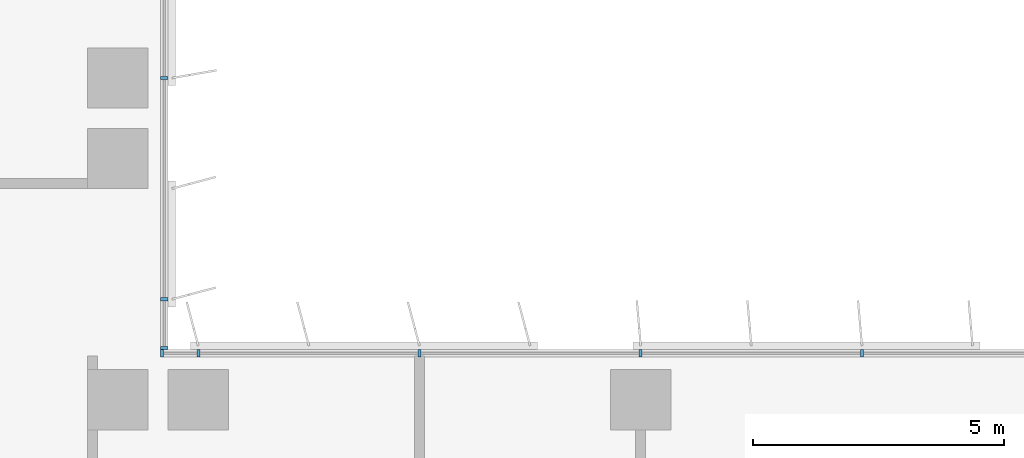
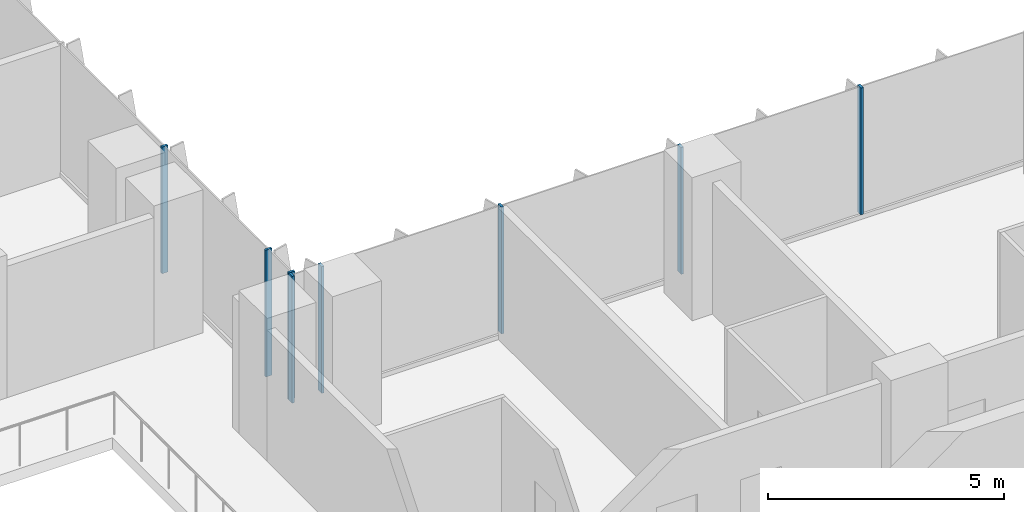
# One storey, part 2 of 22: 8 members, 2 elements without a shape of their own.
"""IFC4 building model written with IfcOpenShell, lengths in metres."""

from ifc_helpers import new_model, si_unit, direction, frame, origin, origin_2d, place, context, subcontext, project, spatial, rectangle, extrude, source, transform, mapped, material, material_profile, profile_set, type_object, element, aggregate, save


model = new_model("IFC4")

# Units and contexts
model_context = context("Model", 3, precision=1e-05, world=origin(), true_north=direction((0.0, 1.0)))
body_context = subcontext(model_context, "Body", "Model", "MODEL_VIEW")
ifc_project = project(units=[si_unit("LENGTHUNIT", "METRE"), si_unit("AREAUNIT", "SQUARE_METRE"), si_unit("VOLUMEUNIT", "CUBIC_METRE"), si_unit("PLANEANGLEUNIT", "RADIAN"), si_unit("MASSUNIT", "GRAM", prefix="KILO")], contexts=[model_context])

# Site, building, storey
site_placement = place(None, origin())
site = spatial("IfcSite", under=ifc_project, at=site_placement, CompositionType="ELEMENT")
building_placement = place(site_placement, origin())
building = spatial("IfcBuilding", under=site, at=building_placement, Name="Kemantara Hotel Tower", CompositionType="ELEMENT")
storey_placement = place(building_placement, frame((0.0, 0.0, 94.5)))
storey = spatial("IfcBuildingStorey", under=building, at=storey_placement, Name="L22", CompositionType="ELEMENT", Elevation=94.5)

# Curtain wall, members
ifc_material_1 = material(Name="Low-E tinted double insulated glass 36 mm", Category="glass")
curtain_wall_type = type_object("IfcCurtainWallType", Name="TOWER CURTAIN WALL, FRONT FACES", PredefinedType="USERDEFINED", material=ifc_material_1)
curtain_wall_1_placement = place(storey_placement, origin())
curtain_wall_1 = element("IfcCurtainWall", 1, at=curtain_wall_1_placement, inside=storey, type_object=curtain_wall_type, Name="CW4 L22 T2-R13-1", ObjectType="TOWER CURTAIN WALL, FRONT FACES", PredefinedType="USERDEFINED")
ifc_material_2 = material(Name="Aluminium 6063-T6 bronze anodised", Category="aluminium")
ifc_material_profile = material_profile(ifc_material_2, rectangle(XDim=0.14990234375, YDim=0.06005859375, at=origin_2d()), Name="TOWER CURTAIN WALL, FRONT FACES MULLION")
ifc_profile_set = profile_set([ifc_material_profile], Name="Aluminium 6063-T6 bronze anodised")
member_type = type_object("IfcMemberType", Name="TOWER CURTAIN WALL, FRONT FACES MULLION", PredefinedType="MULLION", material=ifc_profile_set)
shared_shape = source(origin(), body_context, "Body", "SweptSolid", [
    extrude(rectangle(XDim=0.14990234375, YDim=0.06005859375, at=origin_2d()), origin(), (0.0, 0.0, 1.0), 3.27978515625),
])
member_1_placement = place(storey_placement, frame((40.60009765625, 21.925048828125, 0.1201171875), z_axis=(0.0, 0.0, 1.0), x_axis=(0.0, -1.0, 0.0)))
member_1 = element("IfcMember", 2, at=member_1_placement, type_object=member_type, Name="CW4 mullion T2-R13-1.6", PredefinedType="MULLION", context=body_context, shape_type="MappedRepresentation", body=[
    mapped(shared_shape, transform((0.0, 0.0, 0.0))),
])
member_2_placement = place(storey_placement, frame((36.199951171875, 21.925048828125, 0.1201171875), z_axis=(0.0, 0.0, 1.0), x_axis=(0.0, -1.0, 0.0)))
member_2 = element("IfcMember", 3, at=member_2_placement, type_object=member_type, Name="CW4 mullion T2-R13-1.7", PredefinedType="MULLION", context=body_context, shape_type="MappedRepresentation", body=[
    mapped(shared_shape, transform((0.0, 0.0, 0.0))),
])
member_3_placement = place(storey_placement, frame((31.800048828125, 21.925048828125, 0.1201171875), z_axis=(0.0, 0.0, 1.0), x_axis=(0.0, -1.0, 0.0)))
member_3 = element("IfcMember", 4, at=member_3_placement, type_object=member_type, Name="CW4 mullion T2-R13-1.8", PredefinedType="MULLION", context=body_context, shape_type="MappedRepresentation", body=[
    mapped(shared_shape, transform((0.0, 0.0, 0.0))),
])
member_4_placement = place(storey_placement, frame((27.39990234375, 21.925048828125, 0.1201171875), z_axis=(0.0, 0.0, 1.0), x_axis=(0.0, -1.0, 0.0)))
member_4 = element("IfcMember", 5, at=member_4_placement, type_object=member_type, Name="CW4 mullion T2-R13-1.9", PredefinedType="MULLION", context=body_context, shape_type="MappedRepresentation", body=[
    mapped(shared_shape, transform((0.0, 0.0, 0.0))),
])
member_5_placement = place(storey_placement, frame((26.679931640625, 21.925048828125, 0.1201171875), z_axis=(0.0, 0.0, 1.0), x_axis=(0.0, -1.0, 0.0)))
member_5 = element("IfcMember", 6, at=member_5_placement, type_object=member_type, Name="CW4 mullion T2-R13-1.10", PredefinedType="MULLION", context=body_context, shape_type="MappedRepresentation", body=[
    mapped(shared_shape, transform((0.0, 0.0, 0.0))),
])
aggregate(curtain_wall_1, [member_1, member_2, member_3, member_4, member_5])

curtain_wall_2_placement = place(storey_placement, origin())
curtain_wall_2 = element("IfcCurtainWall", 7, at=curtain_wall_2_placement, inside=storey, type_object=curtain_wall_type, Name="CW4 L22 T2-R14-1", ObjectType="TOWER CURTAIN WALL, FRONT FACES", PredefinedType="USERDEFINED")
member_6_placement = place(storey_placement, frame((26.72509765625, 22.030029296875, 0.1201171875), z_axis=(0.0, 0.0, 1.0), x_axis=(-1.0, 0.0, 0.0)))
member_6 = element("IfcMember", 8, at=member_6_placement, type_object=member_type, Name="CW4 mullion T2-R14-1.1", PredefinedType="MULLION", context=body_context, shape_type="MappedRepresentation", body=[
    mapped(shared_shape, transform((0.0, 0.0, 0.0))),
])
member_7_placement = place(storey_placement, frame((26.72509765625, 23.0, 0.1201171875), z_axis=(0.0, 0.0, 1.0), x_axis=(-1.0, 0.0, 0.0)))
member_7 = element("IfcMember", 9, at=member_7_placement, type_object=member_type, Name="CW4 mullion T2-R14-1.2", PredefinedType="MULLION", context=body_context, shape_type="MappedRepresentation", body=[
    mapped(shared_shape, transform((0.0, 0.0, 0.0))),
])
member_8_placement = place(storey_placement, frame((26.72509765625, 27.39990234375, 0.1201171875), z_axis=(0.0, 0.0, 1.0), x_axis=(-1.0, 0.0, 0.0)))
member_8 = element("IfcMember", 10, at=member_8_placement, type_object=member_type, Name="CW4 mullion T2-R14-1.3", PredefinedType="MULLION", context=body_context, shape_type="MappedRepresentation", body=[
    mapped(shared_shape, transform((0.0, 0.0, 0.0))),
])
aggregate(curtain_wall_2, [member_6, member_7, member_8])

save(model, "model.ifc")
